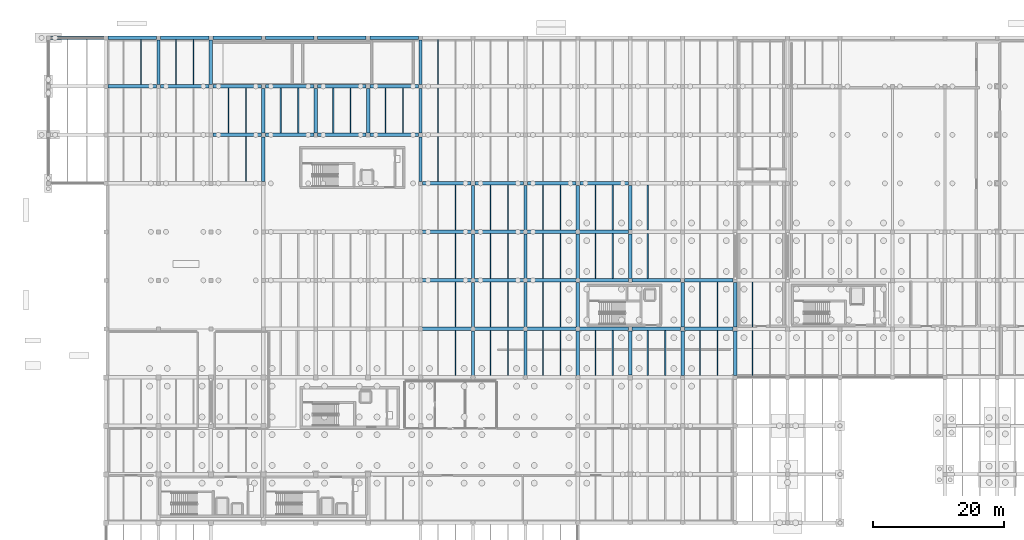
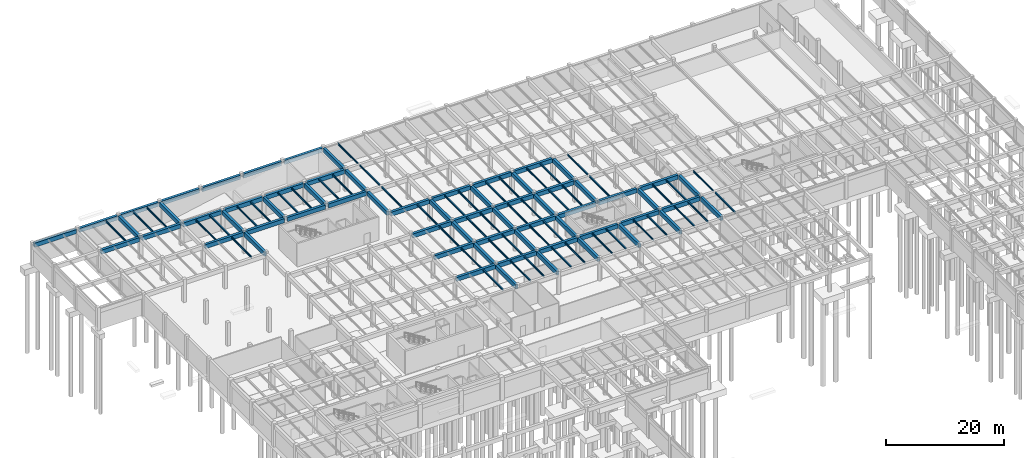
# One storey, part 12 of 40: 116 beams.
"""IFC4 building model written with IfcOpenShell, lengths in metres."""

from ifc_helpers import new_model, si_unit, direction, frame, origin, origin_2d, place, context, subcontext, project, spatial, rectangle, i_section, extrude, material, material_profile, profile_set, type_object, element, save


model = new_model("IFC4")

# Units and contexts
model_context = context("Model", 3, precision=1e-05, world=origin(), true_north=direction((0.0, 1.0)))
body_context = subcontext(model_context, "Body", "Model", "MODEL_VIEW")
ifc_project = project(units=[si_unit("LENGTHUNIT", "METRE"), si_unit("AREAUNIT", "SQUARE_METRE"), si_unit("VOLUMEUNIT", "CUBIC_METRE"), si_unit("PLANEANGLEUNIT", "RADIAN"), si_unit("MASSUNIT", "GRAM", prefix="KILO")], contexts=[model_context])

# Site, building, storey
site_placement = place(None, origin())
site = spatial("IfcSite", under=ifc_project, at=site_placement, CompositionType="ELEMENT")
building_placement = place(site_placement, origin())
building = spatial("IfcBuilding", under=site, at=building_placement, Name="Valkorina Park Police Headquarters", CompositionType="ELEMENT")
storey_placement = place(building_placement, frame((0.0, 0.0, -4.800048828125)))
storey = spatial("IfcBuildingStorey", under=building, at=storey_placement, Name="B01", CompositionType="ELEMENT", Elevation=-4.800048828125)

# Beams
ifc_material_1 = material(Name="Concrete C40/50", Category="concrete")
ifc_material_profile_1 = material_profile(ifc_material_1, rectangle(XDim=0.5, YDim=0.85009765625, at=origin_2d()), Name="RC BEAM 500x850")
ifc_profile_set_1 = profile_set([ifc_material_profile_1], Name="Concrete C40/50")
beam_type_1 = type_object("IfcBeamType", Name="BM-RC-500x850-EXT", PredefinedType="SPANDREL", material=ifc_profile_set_1)
beam_1_placement = place(storey_placement, frame((0.300048828125, 111.0, 4.025146484375), z_axis=(1.0, 0.0, 0.0), x_axis=(0.0, 1.0, 0.0)))
element("IfcBeam", 1, at=beam_1_placement, inside=storey, type_object=beam_type_1, Name="B01 Framing Beam 0191", PredefinedType="SPANDREL", context=body_context, shape_type="SweptSolid", body=[
    extrude(rectangle(XDim=0.5, YDim=0.85009765625, at=origin_2d()), origin(), (0.0, 0.0, 1.0), 8.199951171875),
])
for number, where, z_axis, x_axis, name in (
    (2, (9.10009765625, 111.0, 4.025146484375), (1.0, 0.0, 0.0), (0.0, 1.0, 0.0), "B01 Framing Beam 0192"),
    (3, (17.10009765625, 111.0, 4.025146484375), (1.0, 0.0, 0.0), (0.0, 1.0, 0.0), "B01 Framing Beam 0193"),
    (4, (25.10009765625, 111.0, 4.025146484375), (1.0, 0.0, 0.0), (0.0, 1.0, 0.0), "B01 Framing Beam 0194"),
    (5, (33.10009765625, 111.0, 4.025146484375), (1.0, 0.0, 0.0), (0.0, 1.0, 0.0), "B01 Framing Beam 0195"),
    (6, (41.10009765625, 111.0, 4.025146484375), (1.0, 0.0, 0.0), (0.0, 1.0, 0.0), "B01 Framing Beam 0196"),
    (7, (49.10009765625, 111.0, 4.025146484375), (1.0, 0.0, 0.0), (0.0, 1.0, 0.0), "B01 Framing Beam 0197"),
):
    element("IfcBeam", number, at=place(storey_placement, frame(where, z_axis=z_axis, x_axis=x_axis)), inside=storey, type_object=beam_type_1, Name=name, PredefinedType="SPANDREL", context=body_context, shape_type="SweptSolid", body=[
        extrude(rectangle(XDim=0.5, YDim=0.85009765625, at=origin_2d()), origin(), (0.0, 0.0, 1.0), 7.39990234375),
    ])
ifc_material_profile_2 = material_profile(ifc_material_1, rectangle(XDim=0.5, YDim=0.85009765625, at=origin_2d()), Name="RC BEAM 500x850")
ifc_profile_set_2 = profile_set([ifc_material_profile_2], Name="Concrete C40/50")
beam_type_2 = type_object("IfcBeamType", Name="BM-RC-500x850-INT", PredefinedType="BEAM", material=ifc_profile_set_2)
for number, where, z_axis, x_axis, name in (
    (8, (57.044921875, 66.60009765625, 4.025146484375), (1.0, 0.0, 0.0), (0.0, 1.0, 0.0), "B01 Framing Beam 0106"),
    (9, (65.044921875, 66.60009765625, 4.025146484375), (1.0, 0.0, 0.0), (0.0, 1.0, 0.0), "B01 Framing Beam 0107"),
    (10, (73.044921875, 66.60009765625, 4.025146484375), (1.0, 0.0, 0.0), (0.0, 1.0, 0.0), "B01 Framing Beam 0108"),
):
    element("IfcBeam", number, at=place(storey_placement, frame(where, z_axis=z_axis, x_axis=x_axis)), inside=storey, type_object=beam_type_2, Name=name, PredefinedType="BEAM", context=body_context, shape_type="SweptSolid", body=[
        extrude(rectangle(XDim=0.5, YDim=0.85009765625, at=origin_2d()), origin(), (0.0, 0.0, 1.0), 7.51025390625),
    ])
beam_2_placement = place(storey_placement, frame((81.044921875, 66.60009765625, 4.025146484375), z_axis=(1.0, 0.0, 0.0), x_axis=(0.0, 1.0, 0.0)))
element("IfcBeam", 11, at=beam_2_placement, inside=storey, type_object=beam_type_2, Name="B01 Framing Beam 0109", PredefinedType="BEAM", context=body_context, shape_type="SweptSolid", body=[
    extrude(rectangle(XDim=0.5, YDim=0.85009765625, at=origin_2d()), origin(), (0.0, 0.0, 1.0), 7.455078125),
])
for number, where, z_axis, x_axis, name in (
    (12, (89.10009765625, 66.60009765625, 4.074951171875), (1.0, 0.0, 0.0), (0.0, 1.0, 0.0), "B01 Framing Beam 0110"),
    (13, (97.10009765625, 66.60009765625, 4.074951171875), (1.0, 0.0, 0.0), (0.0, 1.0, 0.0), "B01 Framing Beam 0111"),
):
    element("IfcBeam", number, at=place(storey_placement, frame(where, z_axis=z_axis, x_axis=x_axis)), inside=storey, type_object=beam_type_2, Name=name, PredefinedType="BEAM", context=body_context, shape_type="SweptSolid", body=[
        extrude(rectangle(XDim=0.5, YDim=0.85009765625, at=origin_2d()), origin(), (0.0, 0.0, 1.0), 7.39990234375),
    ])
for number, where, z_axis, x_axis, name in (
    (14, (57.044921875, 74.0, 4.025146484375), (1.0, 0.0, 0.0), (0.0, 1.0, 0.0), "B01 Framing Beam 0122"),
    (15, (65.044921875, 74.0, 4.025146484375), (1.0, 0.0, 0.0), (0.0, 1.0, 0.0), "B01 Framing Beam 0123"),
    (16, (73.044921875, 74.0, 4.025146484375), (1.0, 0.0, 0.0), (0.0, 1.0, 0.0), "B01 Framing Beam 0124"),
):
    element("IfcBeam", number, at=place(storey_placement, frame(where, z_axis=z_axis, x_axis=x_axis)), inside=storey, type_object=beam_type_2, Name=name, PredefinedType="BEAM", context=body_context, shape_type="SweptSolid", body=[
        extrude(rectangle(XDim=0.5, YDim=0.85009765625, at=origin_2d()), origin(), (0.0, 0.0, 1.0), 7.51025390625),
    ])
beam_3_placement = place(storey_placement, frame((81.044921875, 74.0, 4.025146484375), z_axis=(1.0, 0.0, 0.0), x_axis=(0.0, 1.0, 0.0)))
element("IfcBeam", 17, at=beam_3_placement, inside=storey, type_object=beam_type_2, Name="B01 Framing Beam 0125", PredefinedType="BEAM", context=body_context, shape_type="SweptSolid", body=[
    extrude(rectangle(XDim=0.5, YDim=0.85009765625, at=origin_2d()), origin(), (0.0, 0.0, 1.0), 7.455078125),
])
for number, where, z_axis, x_axis, name in (
    (18, (89.10009765625, 74.0, 4.074951171875), (1.0, 0.0, 0.0), (0.0, 1.0, 0.0), "B01 Framing Beam 0126"),
    (19, (97.10009765625, 74.0, 4.074951171875), (1.0, 0.0, 0.0), (0.0, 1.0, 0.0), "B01 Framing Beam 0127"),
):
    element("IfcBeam", number, at=place(storey_placement, frame(where, z_axis=z_axis, x_axis=x_axis)), inside=storey, type_object=beam_type_2, Name=name, PredefinedType="BEAM", context=body_context, shape_type="SweptSolid", body=[
        extrude(rectangle(XDim=0.5, YDim=0.85009765625, at=origin_2d()), origin(), (0.0, 0.0, 1.0), 7.39990234375),
    ])
for number, where, z_axis, x_axis, name in (
    (20, (57.044921875, 81.39990234375, 4.025146484375), (1.0, 0.0, 0.0), (0.0, 1.0, 0.0), "B01 Framing Beam 0138"),
    (21, (65.044921875, 81.39990234375, 4.025146484375), (1.0, 0.0, 0.0), (0.0, 1.0, 0.0), "B01 Framing Beam 0139"),
    (22, (73.044921875, 81.39990234375, 4.025146484375), (1.0, 0.0, 0.0), (0.0, 1.0, 0.0), "B01 Framing Beam 0140"),
):
    element("IfcBeam", number, at=place(storey_placement, frame(where, z_axis=z_axis, x_axis=x_axis)), inside=storey, type_object=beam_type_2, Name=name, PredefinedType="BEAM", context=body_context, shape_type="SweptSolid", body=[
        extrude(rectangle(XDim=0.5, YDim=0.85009765625, at=origin_2d()), origin(), (0.0, 0.0, 1.0), 7.51025390625),
    ])
beam_4_placement = place(storey_placement, frame((81.044921875, 81.39990234375, 4.025146484375), z_axis=(1.0, 0.0, 0.0), x_axis=(0.0, 1.0, 0.0)))
element("IfcBeam", 23, at=beam_4_placement, inside=storey, type_object=beam_type_2, Name="B01 Framing Beam 0141", PredefinedType="BEAM", context=body_context, shape_type="SweptSolid", body=[
    extrude(rectangle(XDim=0.5, YDim=0.85009765625, at=origin_2d()), origin(), (0.0, 0.0, 1.0), 7.455078125),
])
for number, where, z_axis, x_axis, name in (
    (24, (57.10009765625, 88.800048828125, 4.025146484375), (1.0, 0.0, 0.0), (0.0, 1.0, 0.0), "B01 Framing Beam 0155"),
    (25, (65.10009765625, 88.800048828125, 4.094970703125), (1.0, 0.0, 0.0), (0.0, 1.0, 0.0), "B01 Framing Beam 0156"),
    (26, (73.10009765625, 88.800048828125, 4.094970703125), (1.0, 0.0, 0.0), (0.0, 1.0, 0.0), "B01 Framing Beam 0157"),
    (27, (81.10009765625, 88.800048828125, 4.094970703125), (1.0, 0.0, 0.0), (0.0, 1.0, 0.0), "B01 Framing Beam 0158"),
    (28, (25.10009765625, 96.199951171875, 4.025146484375), (1.0, 0.0, 0.0), (0.0, 1.0, 0.0), "B01 Framing Beam 0165"),
    (29, (33.10009765625, 96.199951171875, 4.025146484375), (1.0, 0.0, 0.0), (0.0, 1.0, 0.0), "B01 Framing Beam 0166"),
    (30, (41.10009765625, 96.199951171875, 4.025146484375), (1.0, 0.0, 0.0), (0.0, 1.0, 0.0), "B01 Framing Beam 0167"),
    (31, (49.10009765625, 96.199951171875, 4.025146484375), (1.0, 0.0, 0.0), (0.0, 1.0, 0.0), "B01 Framing Beam 0168"),
    (32, (9.10009765625, 103.60009765625, 4.025146484375), (1.0, 0.0, 0.0), (0.0, 1.0, 0.0), "B01 Framing Beam 0177"),
    (33, (17.10009765625, 103.60009765625, 4.025146484375), (1.0, 0.0, 0.0), (0.0, 1.0, 0.0), "B01 Framing Beam 0178"),
    (34, (25.10009765625, 103.60009765625, 4.025146484375), (1.0, 0.0, 0.0), (0.0, 1.0, 0.0), "B01 Framing Beam 0179"),
    (35, (33.10009765625, 103.60009765625, 4.025146484375), (1.0, 0.0, 0.0), (0.0, 1.0, 0.0), "B01 Framing Beam 0180"),
    (36, (41.10009765625, 103.60009765625, 4.025146484375), (1.0, 0.0, 0.0), (0.0, 1.0, 0.0), "B01 Framing Beam 0181"),
    (37, (49.10009765625, 103.60009765625, 4.025146484375), (1.0, 0.0, 0.0), (0.0, 1.0, 0.0), "B01 Framing Beam 0182"),
):
    element("IfcBeam", number, at=place(storey_placement, frame(where, z_axis=z_axis, x_axis=x_axis)), inside=storey, type_object=beam_type_2, Name=name, PredefinedType="BEAM", context=body_context, shape_type="SweptSolid", body=[
        extrude(rectangle(XDim=0.5, YDim=0.85009765625, at=origin_2d()), origin(), (0.0, 0.0, 1.0), 7.39990234375),
    ])
for number, where, z_axis, x_axis, name in (
    (38, (16.800048828125, 103.89990234375, 4.025146484375), (0.0, 1.0, 0.0), (-1.0, 0.0, 0.0), "B01 Framing Beam 0290"),
    (39, (24.800048828125, 103.89990234375, 4.025146484375), (0.0, 1.0, 0.0), (-1.0, 0.0, 0.0), "B01 Framing Beam 0310"),
):
    element("IfcBeam", number, at=place(storey_placement, frame(where, z_axis=z_axis, x_axis=x_axis)), inside=storey, type_object=beam_type_2, Name=name, PredefinedType="BEAM", context=body_context, shape_type="SweptSolid", body=[
        extrude(rectangle(XDim=0.5, YDim=0.85009765625, at=origin_2d()), origin(), (0.0, 0.0, 1.0), 6.800048828125),
    ])
beam_5_placement = place(storey_placement, frame((32.800048828125, 89.10009765625, 4.025146484375), z_axis=(0.0, 1.0, 0.0), x_axis=(-1.0, 0.0, 0.0)))
element("IfcBeam", 40, at=beam_5_placement, inside=storey, type_object=beam_type_2, Name="B01 Framing Beam 0324", PredefinedType="BEAM", context=body_context, shape_type="SweptSolid", body=[
    extrude(rectangle(XDim=0.5, YDim=0.85009765625, at=origin_2d()), origin(), (0.0, 0.0, 1.0), 6.7998046875),
])
for number, where, z_axis, x_axis, name in (
    (41, (32.800048828125, 96.5, 4.025146484375), (0.0, 1.0, 0.0), (-1.0, 0.0, 0.0), "B01 Framing Beam 0325"),
    (42, (40.800048828125, 96.5, 4.025146484375), (0.0, 1.0, 0.0), (-1.0, 0.0, 0.0), "B01 Framing Beam 0337"),
    (43, (48.800048828125, 96.5, 4.025146484375), (0.0, 1.0, 0.0), (-1.0, 0.0, 0.0), "B01 Framing Beam 0352"),
):
    element("IfcBeam", number, at=place(storey_placement, frame(where, z_axis=z_axis, x_axis=x_axis)), inside=storey, type_object=beam_type_2, Name=name, PredefinedType="BEAM", context=body_context, shape_type="SweptSolid", body=[
        extrude(rectangle(XDim=0.5, YDim=0.85009765625, at=origin_2d()), origin(), (0.0, 0.0, 1.0), 6.800048828125),
    ])
beam_6_placement = place(storey_placement, frame((56.800048828125, 89.10009765625, 4.025146484375), z_axis=(0.0, 1.0, 0.0), x_axis=(-1.0, 0.0, 0.0)))
element("IfcBeam", 44, at=beam_6_placement, inside=storey, type_object=beam_type_2, Name="B01 Framing Beam 0376", PredefinedType="BEAM", context=body_context, shape_type="SweptSolid", body=[
    extrude(rectangle(XDim=0.5, YDim=0.85009765625, at=origin_2d()), origin(), (0.0, 0.0, 1.0), 6.7998046875),
])
for number, where, z_axis, x_axis, name in (
    (45, (56.800048828125, 96.5, 4.025146484375), (0.0, 1.0, 0.0), (-1.0, 0.0, 0.0), "B01 Framing Beam 0379"),
    (46, (56.800048828125, 103.89990234375, 4.025146484375), (0.0, 1.0, 0.0), (-1.0, 0.0, 0.0), "B01 Framing Beam 0382"),
):
    element("IfcBeam", number, at=place(storey_placement, frame(where, z_axis=z_axis, x_axis=x_axis)), inside=storey, type_object=beam_type_2, Name=name, PredefinedType="BEAM", context=body_context, shape_type="SweptSolid", body=[
        extrude(rectangle(XDim=0.5, YDim=0.85009765625, at=origin_2d()), origin(), (0.0, 0.0, 1.0), 6.800048828125),
    ])
for number, where, z_axis, x_axis, name in (
    (47, (64.800048828125, 59.51611328125, 4.025146484375), (0.0, 1.0, 0.0), (-1.0, 0.0, 0.0), "B01 Framing Beam 0394"),
    (48, (64.800048828125, 66.916259765625, 4.025146484375), (0.0, 1.0, 0.0), (-1.0, 0.0, 0.0), "B01 Framing Beam 0397"),
    (49, (64.800048828125, 74.316162109375, 4.025146484375), (0.0, 1.0, 0.0), (-1.0, 0.0, 0.0), "B01 Framing Beam 0400"),
):
    element("IfcBeam", number, at=place(storey_placement, frame(where, z_axis=z_axis, x_axis=x_axis)), inside=storey, type_object=beam_type_2, Name=name, PredefinedType="BEAM", context=body_context, shape_type="SweptSolid", body=[
        extrude(rectangle(XDim=0.5, YDim=0.85009765625, at=origin_2d()), origin(), (0.0, 0.0, 1.0), 6.767578125),
    ])
beam_7_placement = place(storey_placement, frame((64.800048828125, 81.71630859375, 4.025146484375), z_axis=(0.0, 1.0, 0.0), x_axis=(-1.0, 0.0, 0.0)))
element("IfcBeam", 50, at=beam_7_placement, inside=storey, type_object=beam_type_2, Name="B01 Framing Beam 0403", PredefinedType="BEAM", context=body_context, shape_type="SweptSolid", body=[
    extrude(rectangle(XDim=0.5, YDim=0.85009765625, at=origin_2d()), origin(), (0.0, 0.0, 1.0), 6.78369140625),
])
for number, where, z_axis, x_axis, name in (
    (51, (72.800048828125, 59.51611328125, 4.025146484375), (0.0, 1.0, 0.0), (-1.0, 0.0, 0.0), "B01 Framing Beam 0421"),
    (52, (72.800048828125, 66.916259765625, 4.025146484375), (0.0, 1.0, 0.0), (-1.0, 0.0, 0.0), "B01 Framing Beam 0424"),
    (53, (72.800048828125, 74.316162109375, 4.025146484375), (0.0, 1.0, 0.0), (-1.0, 0.0, 0.0), "B01 Framing Beam 0427"),
):
    element("IfcBeam", number, at=place(storey_placement, frame(where, z_axis=z_axis, x_axis=x_axis)), inside=storey, type_object=beam_type_2, Name=name, PredefinedType="BEAM", context=body_context, shape_type="SweptSolid", body=[
        extrude(rectangle(XDim=0.5, YDim=0.85009765625, at=origin_2d()), origin(), (0.0, 0.0, 1.0), 6.767578125),
    ])
beam_8_placement = place(storey_placement, frame((72.800048828125, 81.71630859375, 4.025146484375), z_axis=(0.0, 1.0, 0.0), x_axis=(-1.0, 0.0, 0.0)))
element("IfcBeam", 54, at=beam_8_placement, inside=storey, type_object=beam_type_2, Name="B01 Framing Beam 0430", PredefinedType="BEAM", context=body_context, shape_type="SweptSolid", body=[
    extrude(rectangle(XDim=0.5, YDim=0.85009765625, at=origin_2d()), origin(), (0.0, 0.0, 1.0), 6.78369140625),
])
for number, where, z_axis, x_axis, name in (
    (55, (80.800048828125, 59.51611328125, 4.025146484375), (0.0, 1.0, 0.0), (-1.0, 0.0, 0.0), "B01 Framing Beam 0453"),
    (56, (80.800048828125, 66.916259765625, 4.025146484375), (0.0, 1.0, 0.0), (-1.0, 0.0, 0.0), "B01 Framing Beam 0456"),
    (57, (80.800048828125, 74.316162109375, 4.025146484375), (0.0, 1.0, 0.0), (-1.0, 0.0, 0.0), "B01 Framing Beam 0457"),
):
    element("IfcBeam", number, at=place(storey_placement, frame(where, z_axis=z_axis, x_axis=x_axis)), inside=storey, type_object=beam_type_2, Name=name, PredefinedType="BEAM", context=body_context, shape_type="SweptSolid", body=[
        extrude(rectangle(XDim=0.5, YDim=0.85009765625, at=origin_2d()), origin(), (0.0, 0.0, 1.0), 6.767578125),
    ])
beam_9_placement = place(storey_placement, frame((80.800048828125, 81.71630859375, 4.025146484375), z_axis=(0.0, 1.0, 0.0), x_axis=(-1.0, 0.0, 0.0)))
element("IfcBeam", 58, at=beam_9_placement, inside=storey, type_object=beam_type_2, Name="B01 Framing Beam 0460", PredefinedType="BEAM", context=body_context, shape_type="SweptSolid", body=[
    extrude(rectangle(XDim=0.5, YDim=0.85009765625, at=origin_2d()), origin(), (0.0, 0.0, 1.0), 6.78369140625),
])
beam_10_placement = place(storey_placement, frame((88.800048828125, 59.574951171875, 4.074951171875), z_axis=(0.0, 1.0, 0.0), x_axis=(-1.0, 0.0, 0.0)))
element("IfcBeam", 59, at=beam_10_placement, inside=storey, type_object=beam_type_2, Name="B01 Framing Beam 0481", PredefinedType="BEAM", context=body_context, shape_type="SweptSolid", body=[
    extrude(rectangle(XDim=0.5, YDim=0.85009765625, at=origin_2d()), origin(), (0.0, 0.0, 1.0), 6.72509765625),
])
for number, where, z_axis, x_axis, name in (
    (60, (88.800048828125, 74.300048828125, 4.074951171875), (0.0, 1.0, 0.0), (-1.0, 0.0, 0.0), "B01 Framing Beam 0484"),
    (61, (88.800048828125, 81.699951171875, 4.074951171875), (0.0, 1.0, 0.0), (-1.0, 0.0, 0.0), "B01 Framing Beam 0487"),
    (62, (96.800048828125, 59.5, 4.074951171875), (0.0, 1.0, 0.0), (-1.0, 0.0, 0.0), "B01 Framing Beam 0508"),
    (63, (96.800048828125, 66.89990234375, 4.074951171875), (0.0, 1.0, 0.0), (-1.0, 0.0, 0.0), "B01 Framing Beam 0511"),
    (64, (104.800048828125, 59.5, 4.074951171875), (0.0, 1.0, 0.0), (-1.0, 0.0, 0.0), "B01 Framing Beam 0538"),
    (65, (104.800048828125, 66.89990234375, 4.074951171875), (0.0, 1.0, 0.0), (-1.0, 0.0, 0.0), "B01 Framing Beam 0541"),
):
    element("IfcBeam", number, at=place(storey_placement, frame(where, z_axis=z_axis, x_axis=x_axis)), inside=storey, type_object=beam_type_2, Name=name, PredefinedType="BEAM", context=body_context, shape_type="SweptSolid", body=[
        extrude(rectangle(XDim=0.5, YDim=0.85009765625, at=origin_2d()), origin(), (0.0, 0.0, 1.0), 6.800048828125),
    ])
ifc_material_2 = material(Name="Steel S355", Category="steel")
ifc_material_profile_3 = material_profile(ifc_material_2, i_section(OverallWidth=0.169921875, OverallDepth=0.360107421875, WebThickness=0.008056640625, FlangeThickness=0.0126953125, FilletRadius=0.01806640625, at=origin_2d()), Name="IPE 360")
ifc_profile_set_3 = profile_set([ifc_material_profile_3], Name="Steel S355")
beam_type_3 = type_object("IfcBeamType", Name="BM-S355-IPE360-JST", PredefinedType="JOIST", material=ifc_profile_set_3)
for number, where, z_axis, x_axis, name in (
    (66, (14.13330078125, 103.85009765625, 4.27001953125), (0.0, 1.0, 0.0), (-1.0, 0.0, 0.0), "B01 Framing Beam 0261"),
    (67, (19.466796875, 103.85009765625, 4.27001953125), (0.0, 1.0, 0.0), (-1.0, 0.0, 0.0), "B01 Framing Beam 0291"),
    (68, (22.13330078125, 103.85009765625, 4.27001953125), (0.0, 1.0, 0.0), (-1.0, 0.0, 0.0), "B01 Framing Beam 0292"),
    (69, (30.13330078125, 89.050048828125, 4.27001953125), (0.0, 1.0, 0.0), (-1.0, 0.0, 0.0), "B01 Framing Beam 0306"),
):
    element("IfcBeam", number, at=place(storey_placement, frame(where, z_axis=z_axis, x_axis=x_axis)), inside=storey, type_object=beam_type_3, Name=name, PredefinedType="JOIST", context=body_context, shape_type="SweptSolid", body=[
        extrude(i_section(OverallWidth=0.169921875, OverallDepth=0.360107421875, WebThickness=0.008056640625, FlangeThickness=0.0126953125, FilletRadius=0.01806640625, at=origin_2d()), origin(), (0.0, 0.0, 1.0), 6.89990234375),
    ])
for number, where, z_axis, x_axis, name in (
    (70, (27.466796875, 96.449951171875, 4.27001953125), (0.0, 1.0, 0.0), (-1.0, 0.0, 0.0), "B01 Framing Beam 0308"),
    (71, (30.13330078125, 96.449951171875, 4.27001953125), (0.0, 1.0, 0.0), (-1.0, 0.0, 0.0), "B01 Framing Beam 0309"),
    (72, (35.466796875, 96.449951171875, 4.27001953125), (0.0, 1.0, 0.0), (-1.0, 0.0, 0.0), "B01 Framing Beam 0326"),
    (73, (38.13330078125, 96.449951171875, 4.27001953125), (0.0, 1.0, 0.0), (-1.0, 0.0, 0.0), "B01 Framing Beam 0327"),
    (74, (43.466796875, 96.449951171875, 4.27001953125), (0.0, 1.0, 0.0), (-1.0, 0.0, 0.0), "B01 Framing Beam 0338"),
    (75, (46.13330078125, 96.449951171875, 4.27001953125), (0.0, 1.0, 0.0), (-1.0, 0.0, 0.0), "B01 Framing Beam 0339"),
    (76, (51.466796875, 96.449951171875, 4.27001953125), (0.0, 1.0, 0.0), (-1.0, 0.0, 0.0), "B01 Framing Beam 0353"),
    (77, (54.13330078125, 96.449951171875, 4.27001953125), (0.0, 1.0, 0.0), (-1.0, 0.0, 0.0), "B01 Framing Beam 0354"),
    (78, (62.13330078125, 59.449951171875, 4.27001953125), (0.0, 1.0, 0.0), (-1.0, 0.0, 0.0), "B01 Framing Beam 0366"),
):
    element("IfcBeam", number, at=place(storey_placement, frame(where, z_axis=z_axis, x_axis=x_axis)), inside=storey, type_object=beam_type_3, Name=name, PredefinedType="JOIST", context=body_context, shape_type="SweptSolid", body=[
        extrude(i_section(OverallWidth=0.169921875, OverallDepth=0.360107421875, WebThickness=0.008056640625, FlangeThickness=0.0126953125, FilletRadius=0.01806640625, at=origin_2d()), origin(), (0.0, 0.0, 1.0), 6.900146484375),
    ])
for number, where, z_axis, x_axis, name in (
    (79, (62.13330078125, 66.85009765625, 4.27001953125), (0.0, 1.0, 0.0), (-1.0, 0.0, 0.0), "B01 Framing Beam 0369"),
    (80, (62.13330078125, 74.25, 4.27001953125), (0.0, 1.0, 0.0), (-1.0, 0.0, 0.0), "B01 Framing Beam 0372"),
):
    element("IfcBeam", number, at=place(storey_placement, frame(where, z_axis=z_axis, x_axis=x_axis)), inside=storey, type_object=beam_type_3, Name=name, PredefinedType="JOIST", context=body_context, shape_type="SweptSolid", body=[
        extrude(i_section(OverallWidth=0.169921875, OverallDepth=0.360107421875, WebThickness=0.008056640625, FlangeThickness=0.0126953125, FilletRadius=0.01806640625, at=origin_2d()), origin(), (0.0, 0.0, 1.0), 6.89990234375),
    ])
beam_11_placement = place(storey_placement, frame((62.13330078125, 81.64990234375, 4.27001953125), z_axis=(0.0, 1.0, 0.0), x_axis=(-1.0, 0.0, 0.0)))
element("IfcBeam", 81, at=beam_11_placement, inside=storey, type_object=beam_type_3, Name="B01 Framing Beam 0375", PredefinedType="JOIST", context=body_context, shape_type="SweptSolid", body=[
    extrude(i_section(OverallWidth=0.169921875, OverallDepth=0.360107421875, WebThickness=0.008056640625, FlangeThickness=0.0126953125, FilletRadius=0.01806640625, at=origin_2d()), origin(), (0.0, 0.0, 1.0), 6.900146484375),
])
beam_12_placement = place(storey_placement, frame((59.466796875, 89.050048828125, 4.340087890625), z_axis=(0.0, 1.0, 0.0), x_axis=(-1.0, 0.0, 0.0)))
element("IfcBeam", 82, at=beam_12_placement, inside=storey, type_object=beam_type_3, Name="B01 Framing Beam 0377", PredefinedType="JOIST", context=body_context, shape_type="SweptSolid", body=[
    extrude(i_section(OverallWidth=0.169921875, OverallDepth=0.360107421875, WebThickness=0.008056640625, FlangeThickness=0.0126953125, FilletRadius=0.01806640625, at=origin_2d()), origin(), (0.0, 0.0, 1.0), 6.89990234375),
])
beam_13_placement = place(storey_placement, frame((59.466796875, 96.449951171875, 4.340087890625), z_axis=(0.0, 1.0, 0.0), x_axis=(-1.0, 0.0, 0.0)))
element("IfcBeam", 83, at=beam_13_placement, inside=storey, type_object=beam_type_3, Name="B01 Framing Beam 0380", PredefinedType="JOIST", context=body_context, shape_type="SweptSolid", body=[
    extrude(i_section(OverallWidth=0.169921875, OverallDepth=0.360107421875, WebThickness=0.008056640625, FlangeThickness=0.0126953125, FilletRadius=0.01806640625, at=origin_2d()), origin(), (0.0, 0.0, 1.0), 6.900146484375),
])
beam_14_placement = place(storey_placement, frame((59.466796875, 103.85009765625, 4.340087890625), z_axis=(0.0, 1.0, 0.0), x_axis=(-1.0, 0.0, 0.0)))
element("IfcBeam", 84, at=beam_14_placement, inside=storey, type_object=beam_type_3, Name="B01 Framing Beam 0383", PredefinedType="JOIST", context=body_context, shape_type="SweptSolid", body=[
    extrude(i_section(OverallWidth=0.169921875, OverallDepth=0.360107421875, WebThickness=0.008056640625, FlangeThickness=0.0126953125, FilletRadius=0.01806640625, at=origin_2d()), origin(), (0.0, 0.0, 1.0), 6.89990234375),
])
for number, where, z_axis, x_axis, name in (
    (85, (67.466796875, 59.449951171875, 4.27001953125), (0.0, 1.0, 0.0), (-1.0, 0.0, 0.0), "B01 Framing Beam 0395"),
    (86, (70.13330078125, 59.449951171875, 4.27001953125), (0.0, 1.0, 0.0), (-1.0, 0.0, 0.0), "B01 Framing Beam 0396"),
):
    element("IfcBeam", number, at=place(storey_placement, frame(where, z_axis=z_axis, x_axis=x_axis)), inside=storey, type_object=beam_type_3, Name=name, PredefinedType="JOIST", context=body_context, shape_type="SweptSolid", body=[
        extrude(i_section(OverallWidth=0.169921875, OverallDepth=0.360107421875, WebThickness=0.008056640625, FlangeThickness=0.0126953125, FilletRadius=0.01806640625, at=origin_2d()), origin(), (0.0, 0.0, 1.0), 6.900146484375),
    ])
for number, where, z_axis, x_axis, name in (
    (87, (67.466796875, 66.85009765625, 4.27001953125), (0.0, 1.0, 0.0), (-1.0, 0.0, 0.0), "B01 Framing Beam 0398"),
    (88, (70.13330078125, 66.85009765625, 4.27001953125), (0.0, 1.0, 0.0), (-1.0, 0.0, 0.0), "B01 Framing Beam 0399"),
    (89, (67.466796875, 74.25, 4.27001953125), (0.0, 1.0, 0.0), (-1.0, 0.0, 0.0), "B01 Framing Beam 0401"),
    (90, (70.13330078125, 74.25, 4.27001953125), (0.0, 1.0, 0.0), (-1.0, 0.0, 0.0), "B01 Framing Beam 0402"),
):
    element("IfcBeam", number, at=place(storey_placement, frame(where, z_axis=z_axis, x_axis=x_axis)), inside=storey, type_object=beam_type_3, Name=name, PredefinedType="JOIST", context=body_context, shape_type="SweptSolid", body=[
        extrude(i_section(OverallWidth=0.169921875, OverallDepth=0.360107421875, WebThickness=0.008056640625, FlangeThickness=0.0126953125, FilletRadius=0.01806640625, at=origin_2d()), origin(), (0.0, 0.0, 1.0), 6.89990234375),
    ])
for number, where, z_axis, x_axis, name in (
    (91, (67.466796875, 81.64990234375, 4.27001953125), (0.0, 1.0, 0.0), (-1.0, 0.0, 0.0), "B01 Framing Beam 0404"),
    (92, (70.13330078125, 81.64990234375, 4.27001953125), (0.0, 1.0, 0.0), (-1.0, 0.0, 0.0), "B01 Framing Beam 0405"),
    (93, (75.466796875, 59.449951171875, 4.27001953125), (0.0, 1.0, 0.0), (-1.0, 0.0, 0.0), "B01 Framing Beam 0422"),
    (94, (78.13330078125, 59.449951171875, 4.27001953125), (0.0, 1.0, 0.0), (-1.0, 0.0, 0.0), "B01 Framing Beam 0423"),
):
    element("IfcBeam", number, at=place(storey_placement, frame(where, z_axis=z_axis, x_axis=x_axis)), inside=storey, type_object=beam_type_3, Name=name, PredefinedType="JOIST", context=body_context, shape_type="SweptSolid", body=[
        extrude(i_section(OverallWidth=0.169921875, OverallDepth=0.360107421875, WebThickness=0.008056640625, FlangeThickness=0.0126953125, FilletRadius=0.01806640625, at=origin_2d()), origin(), (0.0, 0.0, 1.0), 6.900146484375),
    ])
for number, where, z_axis, x_axis, name in (
    (95, (75.466796875, 66.85009765625, 4.27001953125), (0.0, 1.0, 0.0), (-1.0, 0.0, 0.0), "B01 Framing Beam 0425"),
    (96, (78.13330078125, 66.85009765625, 4.27001953125), (0.0, 1.0, 0.0), (-1.0, 0.0, 0.0), "B01 Framing Beam 0426"),
    (97, (75.466796875, 74.25, 4.27001953125), (0.0, 1.0, 0.0), (-1.0, 0.0, 0.0), "B01 Framing Beam 0428"),
    (98, (78.13330078125, 74.25, 4.27001953125), (0.0, 1.0, 0.0), (-1.0, 0.0, 0.0), "B01 Framing Beam 0429"),
):
    element("IfcBeam", number, at=place(storey_placement, frame(where, z_axis=z_axis, x_axis=x_axis)), inside=storey, type_object=beam_type_3, Name=name, PredefinedType="JOIST", context=body_context, shape_type="SweptSolid", body=[
        extrude(i_section(OverallWidth=0.169921875, OverallDepth=0.360107421875, WebThickness=0.008056640625, FlangeThickness=0.0126953125, FilletRadius=0.01806640625, at=origin_2d()), origin(), (0.0, 0.0, 1.0), 6.89990234375),
    ])
for number, where, z_axis, x_axis, name in (
    (99, (75.466796875, 81.64990234375, 4.27001953125), (0.0, 1.0, 0.0), (-1.0, 0.0, 0.0), "B01 Framing Beam 0431"),
    (100, (78.13330078125, 81.64990234375, 4.27001953125), (0.0, 1.0, 0.0), (-1.0, 0.0, 0.0), "B01 Framing Beam 0432"),
    (101, (83.466796875, 59.449951171875, 4.320068359375), (0.0, 1.0, 0.0), (-1.0, 0.0, 0.0), "B01 Framing Beam 0454"),
    (102, (86.13330078125, 59.449951171875, 4.320068359375), (0.0, 1.0, 0.0), (-1.0, 0.0, 0.0), "B01 Framing Beam 0455"),
):
    element("IfcBeam", number, at=place(storey_placement, frame(where, z_axis=z_axis, x_axis=x_axis)), inside=storey, type_object=beam_type_3, Name=name, PredefinedType="JOIST", context=body_context, shape_type="SweptSolid", body=[
        extrude(i_section(OverallWidth=0.169921875, OverallDepth=0.360107421875, WebThickness=0.008056640625, FlangeThickness=0.0126953125, FilletRadius=0.01806640625, at=origin_2d()), origin(), (0.0, 0.0, 1.0), 6.900146484375),
    ])
for number, where, z_axis, x_axis, name in (
    (103, (83.466796875, 74.25, 4.320068359375), (0.0, 1.0, 0.0), (-1.0, 0.0, 0.0), "B01 Framing Beam 0458"),
    (104, (86.13330078125, 74.25, 4.320068359375), (0.0, 1.0, 0.0), (-1.0, 0.0, 0.0), "B01 Framing Beam 0459"),
):
    element("IfcBeam", number, at=place(storey_placement, frame(where, z_axis=z_axis, x_axis=x_axis)), inside=storey, type_object=beam_type_3, Name=name, PredefinedType="JOIST", context=body_context, shape_type="SweptSolid", body=[
        extrude(i_section(OverallWidth=0.169921875, OverallDepth=0.360107421875, WebThickness=0.008056640625, FlangeThickness=0.0126953125, FilletRadius=0.01806640625, at=origin_2d()), origin(), (0.0, 0.0, 1.0), 6.89990234375),
    ])
for number, where, z_axis, x_axis, name in (
    (105, (83.466796875, 81.64990234375, 4.320068359375), (0.0, 1.0, 0.0), (-1.0, 0.0, 0.0), "B01 Framing Beam 0461"),
    (106, (86.13330078125, 81.64990234375, 4.320068359375), (0.0, 1.0, 0.0), (-1.0, 0.0, 0.0), "B01 Framing Beam 0462"),
    (107, (91.466796875, 59.449951171875, 4.320068359375), (0.0, 1.0, 0.0), (-1.0, 0.0, 0.0), "B01 Framing Beam 0482"),
    (108, (94.13330078125, 59.449951171875, 4.320068359375), (0.0, 1.0, 0.0), (-1.0, 0.0, 0.0), "B01 Framing Beam 0483"),
):
    element("IfcBeam", number, at=place(storey_placement, frame(where, z_axis=z_axis, x_axis=x_axis)), inside=storey, type_object=beam_type_3, Name=name, PredefinedType="JOIST", context=body_context, shape_type="SweptSolid", body=[
        extrude(i_section(OverallWidth=0.169921875, OverallDepth=0.360107421875, WebThickness=0.008056640625, FlangeThickness=0.0126953125, FilletRadius=0.01806640625, at=origin_2d()), origin(), (0.0, 0.0, 1.0), 6.900146484375),
    ])
beam_15_placement = place(storey_placement, frame((91.466796875, 74.25, 4.320068359375), z_axis=(0.0, 1.0, 0.0), x_axis=(-1.0, 0.0, 0.0)))
element("IfcBeam", 109, at=beam_15_placement, inside=storey, type_object=beam_type_3, Name="B01 Framing Beam 0485", PredefinedType="JOIST", context=body_context, shape_type="SweptSolid", body=[
    extrude(i_section(OverallWidth=0.169921875, OverallDepth=0.360107421875, WebThickness=0.008056640625, FlangeThickness=0.0126953125, FilletRadius=0.01806640625, at=origin_2d()), origin(), (0.0, 0.0, 1.0), 6.89990234375),
])
for number, where, z_axis, x_axis, name in (
    (110, (91.466796875, 81.64990234375, 4.320068359375), (0.0, 1.0, 0.0), (-1.0, 0.0, 0.0), "B01 Framing Beam 0488"),
    (111, (99.466796875, 59.449951171875, 4.320068359375), (0.0, 1.0, 0.0), (-1.0, 0.0, 0.0), "B01 Framing Beam 0509"),
    (112, (102.13330078125, 59.449951171875, 4.320068359375), (0.0, 1.0, 0.0), (-1.0, 0.0, 0.0), "B01 Framing Beam 0510"),
):
    element("IfcBeam", number, at=place(storey_placement, frame(where, z_axis=z_axis, x_axis=x_axis)), inside=storey, type_object=beam_type_3, Name=name, PredefinedType="JOIST", context=body_context, shape_type="SweptSolid", body=[
        extrude(i_section(OverallWidth=0.169921875, OverallDepth=0.360107421875, WebThickness=0.008056640625, FlangeThickness=0.0126953125, FilletRadius=0.01806640625, at=origin_2d()), origin(), (0.0, 0.0, 1.0), 6.900146484375),
    ])
for number, where, z_axis, x_axis, name in (
    (113, (99.466796875, 66.85009765625, 4.320068359375), (0.0, 1.0, 0.0), (-1.0, 0.0, 0.0), "B01 Framing Beam 0512"),
    (114, (102.13330078125, 66.85009765625, 4.320068359375), (0.0, 1.0, 0.0), (-1.0, 0.0, 0.0), "B01 Framing Beam 0513"),
):
    element("IfcBeam", number, at=place(storey_placement, frame(where, z_axis=z_axis, x_axis=x_axis)), inside=storey, type_object=beam_type_3, Name=name, PredefinedType="JOIST", context=body_context, shape_type="SweptSolid", body=[
        extrude(i_section(OverallWidth=0.169921875, OverallDepth=0.360107421875, WebThickness=0.008056640625, FlangeThickness=0.0126953125, FilletRadius=0.01806640625, at=origin_2d()), origin(), (0.0, 0.0, 1.0), 6.89990234375),
    ])
beam_16_placement = place(storey_placement, frame((107.466796875, 59.449951171875, 4.320068359375), z_axis=(0.0, 1.0, 0.0), x_axis=(-1.0, 0.0, 0.0)))
element("IfcBeam", 115, at=beam_16_placement, inside=storey, type_object=beam_type_3, Name="B01 Framing Beam 0539", PredefinedType="JOIST", context=body_context, shape_type="SweptSolid", body=[
    extrude(i_section(OverallWidth=0.169921875, OverallDepth=0.360107421875, WebThickness=0.008056640625, FlangeThickness=0.0126953125, FilletRadius=0.01806640625, at=origin_2d()), origin(), (0.0, 0.0, 1.0), 6.900146484375),
])
beam_17_placement = place(storey_placement, frame((107.466796875, 66.85009765625, 4.320068359375), z_axis=(0.0, 1.0, 0.0), x_axis=(-1.0, 0.0, 0.0)))
element("IfcBeam", 116, at=beam_17_placement, inside=storey, type_object=beam_type_3, Name="B01 Framing Beam 0542", PredefinedType="JOIST", context=body_context, shape_type="SweptSolid", body=[
    extrude(i_section(OverallWidth=0.169921875, OverallDepth=0.360107421875, WebThickness=0.008056640625, FlangeThickness=0.0126953125, FilletRadius=0.01806640625, at=origin_2d()), origin(), (0.0, 0.0, 1.0), 6.89990234375),
])

save(model, "model.ifc")
